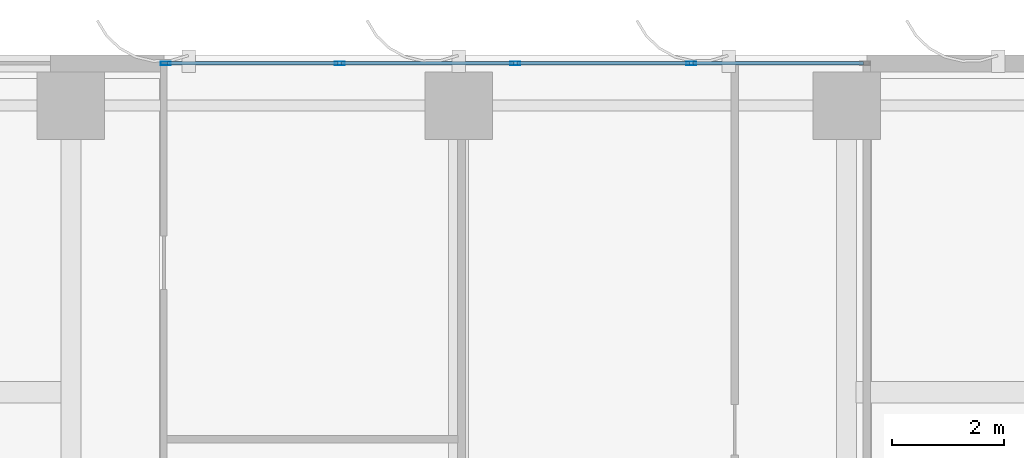
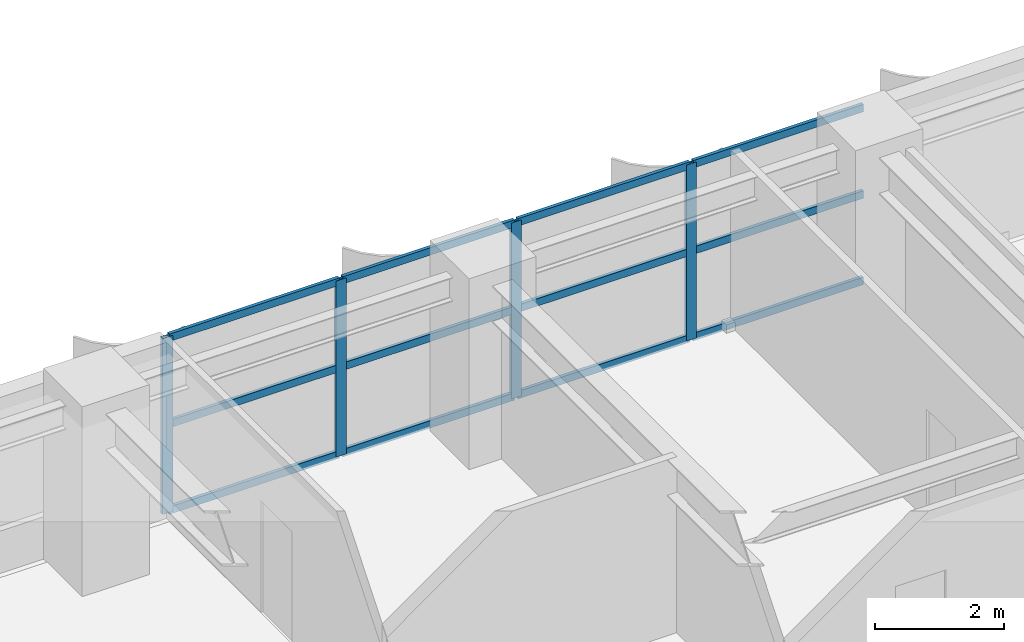
# One storey, part 11 of 24: 16 members, 1 element without a shape of its own.
"""IFC4 building model written with IfcOpenShell, lengths in metres."""

import ifcopenshell
import ifcopenshell.guid

model = None  # the IFC model being written
_history = None  # IfcOwnerHistory: only IFC2X3 demands one
_inside = {}  # id of a spatial element -> (the spatial element, [elements in it])
_under = {}  # id of a project, library or spatial element -> (it, [spatial elements below it])
_declared = {}  # id of a project -> (the project, [libraries it declares])
_typed = {}  # id of a type object -> (the type object, [elements of that type])
_made_of = {}  # id of a material, layer set ... -> (it, [elements and type objects made of it])


def new_model(schema):
    """Start an empty IFC model of exactly this schema.

    Asked for "IFC4X3", IfcOpenShell would pick the latest addendum, in which some entities
    have other attributes; the version numbers below select the first issue.
    IFC2X3 requires an IfcOwnerHistory on every rooted entity: one is made here for all.
    """
    global model, _history
    if schema == "IFC4X3":
        model = ifcopenshell.file(schema_version=(4, 3, 0, 0))
    else:
        model = ifcopenshell.file(schema=schema)
    _inside.clear()
    _under.clear()
    _declared.clear()
    _typed.clear()
    _made_of.clear()
    _history = None
    if model.schema == "IFC2X3":
        org = make("IfcOrganization", Name="unknown")
        user = make(
            "IfcPersonAndOrganization",
            ThePerson=make("IfcPerson", FamilyName="unknown"),
            TheOrganization=org,
        )
        app = make(
            "IfcApplication",
            ApplicationDeveloper=org,
            Version="unknown",
            ApplicationFullName="unknown",
            ApplicationIdentifier="unknown",
        )
        _history = make(
            "IfcOwnerHistory",
            OwningUser=user,
            OwningApplication=app,
            ChangeAction="ADDED",
            CreationDate=0,
        )
    return model


def make(cls, **values):
    """One entity of the class cls with the attributes given. An attribute that is None is left unset."""
    return model.create_entity(
        cls, **{name: value for name, value in values.items() if value is not None}
    )


def rooted(cls, **values):
    """An entity with a GlobalId (a new one), such as an element, a storey or a relation."""
    return make(cls, GlobalId=ifcopenshell.guid.new(), OwnerHistory=_history, **values)


def si_unit(unit_type, name, prefix=None):
    """IfcSIUnit, for example si_unit("LENGTHUNIT", "METRE", prefix="MILLI")."""
    return make("IfcSIUnit", UnitType=unit_type, Prefix=prefix, Name=name)


def assignment(units):
    """IfcUnitAssignment: the units of a project."""
    return None if units is None else make("IfcUnitAssignment", Units=units)


def point(xyz):
    """IfcCartesianPoint."""
    return None if xyz is None else make("IfcCartesianPoint", Coordinates=xyz)


def direction(xyz):
    """IfcDirection."""
    return None if xyz is None else make("IfcDirection", DirectionRatios=xyz)


def frame(location, z_axis=None, x_axis=None):
    """IfcAxis2Placement3D, a coordinate frame: its origin and axes. An axis left out is left unset."""
    return make(
        "IfcAxis2Placement3D",
        Location=point(location),
        Axis=direction(z_axis),
        RefDirection=direction(x_axis),
    )


def frame_2d(location, x_axis=None):
    """IfcAxis2Placement2D, a coordinate frame in the plane: its origin and x axis."""
    return make(
        "IfcAxis2Placement2D", Location=point(location), RefDirection=direction(x_axis)
    )


def origin():
    """The frame at (0, 0, 0) with its axes left unset."""
    return frame((0.0, 0.0, 0.0))


def origin_2d():
    """The frame at (0, 0) in the plane with its x axis left unset."""
    return frame_2d((0.0, 0.0))


def place(relative_to, where):
    """IfcLocalPlacement: puts the frame where relative to a parent placement (None: the world)."""
    return make(
        "IfcLocalPlacement", PlacementRelTo=relative_to, RelativePlacement=where
    )


def context(
    kind, dimensions, precision=None, world=None, true_north=None, identifier=None
):
    """IfcGeometricRepresentationContext, for example the 3D "Model" context."""
    return make(
        "IfcGeometricRepresentationContext",
        ContextIdentifier=identifier,
        ContextType=kind,
        CoordinateSpaceDimension=dimensions,
        Precision=precision,
        WorldCoordinateSystem=world,
        TrueNorth=true_north,
    )


def subcontext(parent, identifier, kind, view, scale=None):
    """IfcGeometricRepresentationSubContext, for example "Body" below "Model"."""
    return make(
        "IfcGeometricRepresentationSubContext",
        ContextIdentifier=identifier,
        ContextType=kind,
        ParentContext=parent,
        TargetScale=scale,
        TargetView=view,
    )


def project(units=None, contexts=None):
    """IfcProject with its units and contexts."""
    return rooted(
        "IfcProject",
        Name="project",
        RepresentationContexts=contexts,
        UnitsInContext=assignment(units),
    )


def spatial(cls, under=None, at=None, **own):
    """A site, building, storey or space (cls), placed at a placement, below another one or the project."""
    s = rooted(cls, ObjectPlacement=at, **own)
    if under is not None:
        _under.setdefault(under.id(), (under, []))[1].append(s)
    return s


def profile(cls, at=None, kind="AREA", **sizes):
    """A parametric profile (cls). Its sizes go by their IFC names, for example OverallWidth=200.0."""
    return make(cls, ProfileType=kind, Position=at, **sizes)


def hollow_rectangle(**sizes):
    """IfcRectangleHollowProfileDef."""
    return profile("IfcRectangleHollowProfileDef", **sizes)


def extrude(swept, where, along, depth):
    """IfcExtrudedAreaSolid: the profile swept, set in the frame where, extruded along a direction by depth."""
    return make(
        "IfcExtrudedAreaSolid",
        SweptArea=swept,
        Position=where,
        ExtrudedDirection=direction(along),
        Depth=depth,
    )


def shape(context_of_items, identifier, shape_type, items):
    """IfcShapeRepresentation: the items that make up one representation, for example the "Body"."""
    return make(
        "IfcShapeRepresentation",
        ContextOfItems=context_of_items,
        RepresentationIdentifier=identifier,
        RepresentationType=shape_type,
        Items=items,
    )


def source(mapping_origin, context_of_items, identifier, shape_type, items):
    """IfcRepresentationMap: a shape defined once, which mapped items show again and again."""
    return make(
        "IfcRepresentationMap",
        MappingOrigin=mapping_origin,
        MappedRepresentation=shape(context_of_items, identifier, shape_type, items),
    )


def transform(
    local_origin,
    x_axis=None,
    y_axis=None,
    z_axis=None,
    scale=None,
    scale2=None,
    scale3=None,
    uniform=True,
):
    """IfcCartesianTransformationOperator3D, or its non-uniform kind. x_axis, y_axis, z_axis: its Axis1, 2, 3."""
    if uniform:
        return make(
            "IfcCartesianTransformationOperator3D",
            Axis1=direction(x_axis),
            Axis2=direction(y_axis),
            LocalOrigin=point(local_origin),
            Scale=scale,
            Axis3=direction(z_axis),
        )
    return make(
        "IfcCartesianTransformationOperator3DnonUniform",
        Axis1=direction(x_axis),
        Axis2=direction(y_axis),
        LocalOrigin=point(local_origin),
        Scale=scale,
        Axis3=direction(z_axis),
        Scale2=scale2,
        Scale3=scale3,
    )


def mapped(mapping_source, mapping_target):
    """IfcMappedItem: shows the shape of a source again, moved by a transform."""
    return make(
        "IfcMappedItem", MappingSource=mapping_source, MappingTarget=mapping_target
    )


def material(Name=None, Category=None):
    """IfcMaterial."""
    return make("IfcMaterial", Name=Name, Category=Category)


def layer(
    of_material, thickness, ventilated=None, Name=None, Category=None, Priority=None
):
    """IfcMaterialLayer: one layer of a wall or slab, of a material (None: an air gap)."""
    return make(
        "IfcMaterialLayer",
        Material=of_material,
        LayerThickness=thickness,
        IsVentilated=ventilated,
        Name=Name,
        Category=Category,
        Priority=Priority,
    )


def layer_set(layers, Name=None):
    """IfcMaterialLayerSet."""
    return make("IfcMaterialLayerSet", MaterialLayers=layers, LayerSetName=Name)


def material_profile(
    of_material, cross_section, Name=None, Category=None, Priority=None
):
    """IfcMaterialProfile: a cross section and its material."""
    return make(
        "IfcMaterialProfile",
        Name=Name,
        Material=of_material,
        Profile=cross_section,
        Priority=Priority,
        Category=Category,
    )


def profile_set(profiles, Name=None, composite=None):
    """IfcMaterialProfileSet."""
    return make(
        "IfcMaterialProfileSet",
        Name=Name,
        MaterialProfiles=profiles,
        CompositeProfile=composite,
    )


def made_of(thing, what):
    """Note that an element or type object is made of a material, layer set ...; save() writes the relation."""
    if what is not None:
        _made_of.setdefault(what.id(), (what, []))[1].append(thing)
    return thing


def type_object(cls, material=None, **own):
    """A type object (cls), such as IfcWallType, which elements share."""
    return made_of(rooted(cls, **own), material)


def element(
    cls,
    number,
    at=None,
    inside=None,
    cuts=None,
    type_object=None,
    material=None,
    context=None,
    identifier="Body",
    shape_type=None,
    held_by="IfcProductDefinitionShape",
    body=None,
    shapes=None,
    **own,
):
    """One element of the class cls, such as IfcWall. Its Tag is "e" and its number.

    at: its placement. inside: the storey or other place that contains it. cuts: it is an
    opening in that element (IfcRelVoidsElement). A single representation is given by context,
    identifier, shape_type and body (its items); several are given by shapes. held_by: the class
    of the entity that holds the representations. save() writes the other relations.
    """
    e = rooted(cls, Tag="e%d" % number, ObjectPlacement=at, **own)
    if body is not None:
        shapes = [shape(context, identifier, shape_type, body)]
    if shapes is not None:
        e.Representation = make(held_by, Representations=shapes)
    if inside is not None:
        _inside.setdefault(inside.id(), (inside, []))[1].append(e)
    if cuts is not None:
        rooted(
            "IfcRelVoidsElement", RelatingBuildingElement=cuts, RelatedOpeningElement=e
        )
    if type_object is not None:
        _typed.setdefault(type_object.id(), (type_object, []))[1].append(e)
    return made_of(e, material)


def aggregate(whole, parts):
    """IfcRelAggregates: a whole, such as a stair, and the parts it consists of."""
    return rooted("IfcRelAggregates", RelatingObject=whole, RelatedObjects=parts)


def save(model, path):
    """Write the relations noted so far, then the file.

    IfcRelAggregates (storeys below a building ...), IfcRelContainedInSpatialStructure (elements
    in a storey), IfcRelDefinesByType, IfcRelAssociatesMaterial and IfcRelDeclares: one each for
    every whole, place, type object, material and project.
    """
    for whole, parts in _under.values():
        aggregate(whole, parts)
    for where, things in _inside.values():
        rooted(
            "IfcRelContainedInSpatialStructure",
            RelatedElements=things,
            RelatingStructure=where,
        )
    for kind, things in _typed.values():
        rooted("IfcRelDefinesByType", RelatedObjects=things, RelatingType=kind)
    for what, things in _made_of.values():
        rooted("IfcRelAssociatesMaterial", RelatedObjects=things, RelatingMaterial=what)
    for by, libraries in _declared.values():
        rooted("IfcRelDeclares", RelatingContext=by, RelatedDefinitions=libraries)
    model.write(path)


model = new_model("IFC4")

# Units and contexts
model_context = context("Model", 3, precision=1e-05, world=origin(), true_north=direction((0.0, 1.0)))
body_context = subcontext(model_context, "Body", "Model", "MODEL_VIEW")
ifc_project = project(units=[si_unit("LENGTHUNIT", "METRE"), si_unit("AREAUNIT", "SQUARE_METRE"), si_unit("VOLUMEUNIT", "CUBIC_METRE"), si_unit("PLANEANGLEUNIT", "RADIAN"), si_unit("MASSUNIT", "GRAM", prefix="KILO")], contexts=[model_context])

# Site, building, storey
site_placement = place(None, origin())
site = spatial("IfcSite", under=ifc_project, at=site_placement, CompositionType="ELEMENT")
building_placement = place(site_placement, origin())
building = spatial("IfcBuilding", under=site, at=building_placement, Name="Khoralis Quay Care Tower", CompositionType="ELEMENT")
storey_placement = place(building_placement, frame((0.0, 0.0, 40.5)))
storey = spatial("IfcBuildingStorey", under=building, at=storey_placement, Name="L10", CompositionType="ELEMENT", Elevation=40.5)

# Curtain wall, members
ifc_material = material(Name="Pale anodised aluminium", Category="aluminium")
ifc_layer = layer(ifc_material, 0.179931640625)
ifc_layer_set = layer_set([ifc_layer], Name="Pale anodised aluminium")
curtain_wall_type = type_object("IfcCurtainWallType", Name="CW-SYS-Z1", PredefinedType="NOTDEFINED", material=ifc_layer_set)
curtain_wall_placement = place(storey_placement, origin())
curtain_wall = element("IfcCurtainWall", 1, at=curtain_wall_placement, inside=storey, type_object=curtain_wall_type, Name="L10 Unitised Curtain Wall CW-L10-P1-E10", PredefinedType="NOTDEFINED")
ifc_material_profile_1 = material_profile(ifc_material, hollow_rectangle(XDim=0.06494140625, YDim=0.179931640625, WallThickness=0.00390625, at=origin_2d()), Name="Pale anodised aluminium")
ifc_profile_set_1 = profile_set([ifc_material_profile_1], Name="Pale anodised aluminium")
member_type_1 = type_object("IfcMemberType", Name="CW-MUL-180", PredefinedType="MULLION", material=ifc_profile_set_1)
shared_shape_1 = source(origin(), body_context, "Body", "SweptSolid", [
    extrude(hollow_rectangle(XDim=0.06494140625, YDim=0.179931640625, WallThickness=0.00390625, at=origin_2d()), origin(), (0.0, 0.0, 1.0), 3.320068359375),
])
member_1_placement = place(storey_placement, frame((28.134033203125, 47.85009765625, 0.0), z_axis=(0.0, 0.0, 1.0), x_axis=(0.0, -1.0, 0.0)))
member_1 = element("IfcMember", 2, at=member_1_placement, type_object=member_type_1, Name="CW1 mullion 2", PredefinedType="MULLION", context=body_context, shape_type="MappedRepresentation", body=[
    mapped(shared_shape_1, transform((0.0, 0.0, 0.0), scale=1.0)),
])
member_2_placement = place(storey_placement, frame((25.008056640625, 47.85009765625, 0.0), z_axis=(0.0, 0.0, 1.0), x_axis=(0.0, -1.0, 0.0)))
member_2 = element("IfcMember", 3, at=member_2_placement, type_object=member_type_1, Name="CW1 mullion 3", PredefinedType="MULLION", context=body_context, shape_type="MappedRepresentation", body=[
    mapped(shared_shape_1, transform((0.0, 0.0, 0.0), scale=1.0)),
])
member_3_placement = place(storey_placement, frame((21.882080078125, 47.85009765625, 0.0), z_axis=(0.0, 0.0, 1.0), x_axis=(0.0, -1.0, 0.0)))
member_3 = element("IfcMember", 4, at=member_3_placement, type_object=member_type_1, Name="CW1 mullion 4", PredefinedType="MULLION", context=body_context, shape_type="MappedRepresentation", body=[
    mapped(shared_shape_1, transform((0.0, 0.0, 0.0), scale=1.0)),
])
member_4_placement = place(storey_placement, frame((18.785888671875, 47.85009765625, 0.0), z_axis=(0.0, 0.0, 1.0), x_axis=(0.0, -1.0, 0.0)))
member_4 = element("IfcMember", 5, at=member_4_placement, type_object=member_type_1, Name="CW1 mullion 5", PredefinedType="MULLION", context=body_context, shape_type="MappedRepresentation", body=[
    mapped(shared_shape_1, transform((0.0, 0.0, 0.0), scale=1.0)),
])
ifc_material_profile_2 = material_profile(ifc_material, hollow_rectangle(XDim=0.06005859375, YDim=0.139892578125, WallThickness=0.00390625, at=origin_2d()), Name="Pale anodised aluminium")
ifc_profile_set_2 = profile_set([ifc_material_profile_2], Name="Pale anodised aluminium")
member_type_2 = type_object("IfcMemberType", Name="CW-TRN-140", PredefinedType="USERDEFINED", material=ifc_profile_set_2)
shared_shape_2 = source(origin(), body_context, "Body", "SweptSolid", [
    extrude(hollow_rectangle(XDim=0.06005859375, YDim=0.139892578125, WallThickness=0.00390625, at=origin_2d()), origin(), (0.0, 0.0, 1.0), 3.035888671875),
])
member_5_placement = place(storey_placement, frame((31.199951171875, 47.85009765625, 0.030029296875), z_axis=(-1.0, 0.0, 0.0), x_axis=(0.0, -1.0, 0.0)))
member_5 = element("IfcMember", 6, at=member_5_placement, type_object=member_type_2, Name="CW1 transom 1.1", ObjectType="TRANSOM", PredefinedType="USERDEFINED", context=body_context, shape_type="MappedRepresentation", body=[
    mapped(shared_shape_2, transform((0.0, 0.0, 0.0), scale=1.0)),
])
member_6_placement = place(storey_placement, frame((31.199951171875, 47.85009765625, 1.659912109375), z_axis=(-1.0, 0.0, 0.0), x_axis=(0.0, -1.0, 0.0)))
member_6 = element("IfcMember", 7, at=member_6_placement, type_object=member_type_2, Name="CW1 transom 1.2", ObjectType="TRANSOM", PredefinedType="USERDEFINED", context=body_context, shape_type="MappedRepresentation", body=[
    mapped(shared_shape_2, transform((0.0, 0.0, 0.0), scale=1.0)),
])
member_7_placement = place(storey_placement, frame((31.199951171875, 47.85009765625, 3.2900390625), z_axis=(-1.0, 0.0, 0.0), x_axis=(0.0, -1.0, 0.0)))
member_7 = element("IfcMember", 8, at=member_7_placement, type_object=member_type_2, Name="CW1 transom 1.3", ObjectType="TRANSOM", PredefinedType="USERDEFINED", context=body_context, shape_type="MappedRepresentation", body=[
    mapped(shared_shape_2, transform((0.0, 0.0, 0.0), scale=1.0)),
])
shared_shape_3 = source(origin(), body_context, "Body", "SweptSolid", [
    extrude(hollow_rectangle(XDim=0.06005859375, YDim=0.139892578125, WallThickness=0.00390625, at=origin_2d()), origin(), (0.0, 0.0, 1.0), 3.06591796875),
])
member_8_placement = place(storey_placement, frame((28.10400390625, 47.85009765625, 0.030029296875), z_axis=(-1.0, 0.0, 0.0), x_axis=(0.0, -1.0, 0.0)))
member_8 = element("IfcMember", 9, at=member_8_placement, type_object=member_type_2, Name="CW1 transom 2.1", ObjectType="TRANSOM", PredefinedType="USERDEFINED", context=body_context, shape_type="MappedRepresentation", body=[
    mapped(shared_shape_3, transform((0.0, 0.0, 0.0), scale=1.0)),
])
member_9_placement = place(storey_placement, frame((28.10400390625, 47.85009765625, 1.659912109375), z_axis=(-1.0, 0.0, 0.0), x_axis=(0.0, -1.0, 0.0)))
member_9 = element("IfcMember", 10, at=member_9_placement, type_object=member_type_2, Name="CW1 transom 2.2", ObjectType="TRANSOM", PredefinedType="USERDEFINED", context=body_context, shape_type="MappedRepresentation", body=[
    mapped(shared_shape_3, transform((0.0, 0.0, 0.0), scale=1.0)),
])
member_10_placement = place(storey_placement, frame((28.10400390625, 47.85009765625, 3.2900390625), z_axis=(-1.0, 0.0, 0.0), x_axis=(0.0, -1.0, 0.0)))
member_10 = element("IfcMember", 11, at=member_10_placement, type_object=member_type_2, Name="CW1 transom 2.3", ObjectType="TRANSOM", PredefinedType="USERDEFINED", context=body_context, shape_type="MappedRepresentation", body=[
    mapped(shared_shape_3, transform((0.0, 0.0, 0.0), scale=1.0)),
])
member_11_placement = place(storey_placement, frame((24.97802734375, 47.85009765625, 0.030029296875), z_axis=(-1.0, 0.0, 0.0), x_axis=(0.0, -1.0, 0.0)))
member_11 = element("IfcMember", 12, at=member_11_placement, type_object=member_type_2, Name="CW1 transom 3.1", ObjectType="TRANSOM", PredefinedType="USERDEFINED", context=body_context, shape_type="MappedRepresentation", body=[
    mapped(shared_shape_3, transform((0.0, 0.0, 0.0), scale=1.0)),
])
member_12_placement = place(storey_placement, frame((24.97802734375, 47.85009765625, 1.659912109375), z_axis=(-1.0, 0.0, 0.0), x_axis=(0.0, -1.0, 0.0)))
member_12 = element("IfcMember", 13, at=member_12_placement, type_object=member_type_2, Name="CW1 transom 3.2", ObjectType="TRANSOM", PredefinedType="USERDEFINED", context=body_context, shape_type="MappedRepresentation", body=[
    mapped(shared_shape_3, transform((0.0, 0.0, 0.0), scale=1.0)),
])
member_13_placement = place(storey_placement, frame((24.97802734375, 47.85009765625, 3.2900390625), z_axis=(-1.0, 0.0, 0.0), x_axis=(0.0, -1.0, 0.0)))
member_13 = element("IfcMember", 14, at=member_13_placement, type_object=member_type_2, Name="CW1 transom 3.3", ObjectType="TRANSOM", PredefinedType="USERDEFINED", context=body_context, shape_type="MappedRepresentation", body=[
    mapped(shared_shape_3, transform((0.0, 0.0, 0.0), scale=1.0)),
])
shared_shape_4 = source(origin(), body_context, "Body", "SweptSolid", [
    extrude(hollow_rectangle(XDim=0.06005859375, YDim=0.139892578125, WallThickness=0.00390625, at=origin_2d()), origin(), (0.0, 0.0, 1.0), 3.0361328125),
])
member_14_placement = place(storey_placement, frame((21.85205078125, 47.85009765625, 0.030029296875), z_axis=(-1.0, 0.0, 0.0), x_axis=(0.0, -1.0, 0.0)))
member_14 = element("IfcMember", 15, at=member_14_placement, type_object=member_type_2, Name="CW1 transom 4.1", ObjectType="TRANSOM", PredefinedType="USERDEFINED", context=body_context, shape_type="MappedRepresentation", body=[
    mapped(shared_shape_4, transform((0.0, 0.0, 0.0), scale=1.0)),
])
member_15_placement = place(storey_placement, frame((21.85205078125, 47.85009765625, 1.659912109375), z_axis=(-1.0, 0.0, 0.0), x_axis=(0.0, -1.0, 0.0)))
member_15 = element("IfcMember", 16, at=member_15_placement, type_object=member_type_2, Name="CW1 transom 4.2", ObjectType="TRANSOM", PredefinedType="USERDEFINED", context=body_context, shape_type="MappedRepresentation", body=[
    mapped(shared_shape_4, transform((0.0, 0.0, 0.0), scale=1.0)),
])
member_16_placement = place(storey_placement, frame((21.85205078125, 47.85009765625, 3.2900390625), z_axis=(-1.0, 0.0, 0.0), x_axis=(0.0, -1.0, 0.0)))
member_16 = element("IfcMember", 17, at=member_16_placement, type_object=member_type_2, Name="CW1 transom 4.3", ObjectType="TRANSOM", PredefinedType="USERDEFINED", context=body_context, shape_type="MappedRepresentation", body=[
    mapped(shared_shape_4, transform((0.0, 0.0, 0.0), scale=1.0)),
])
aggregate(curtain_wall, [member_1, member_2, member_3, member_4, member_5, member_6, member_7, member_8, member_9, member_10, member_11, member_12, member_13, member_14, member_15, member_16])

save(model, "model.ifc")
